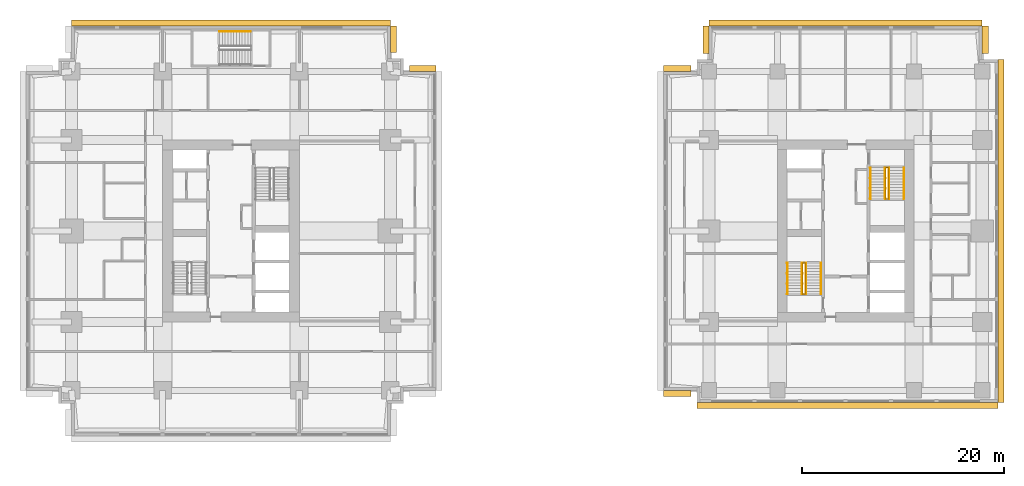
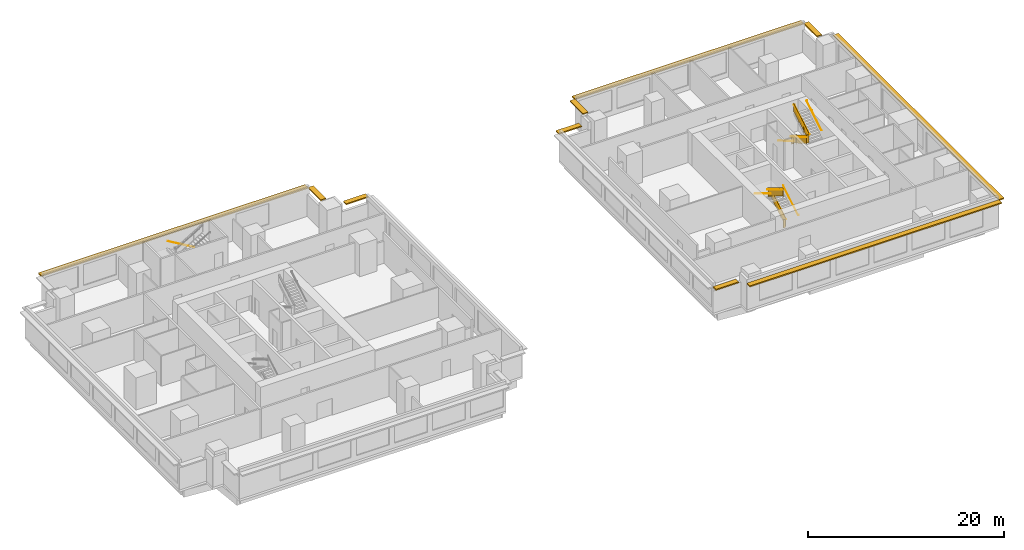
# One storey, part 10 of 10: 11 railings, 10 shading devices.
"""IFC4 building model written with IfcOpenShell, lengths in metres."""

from ifc_helpers import new_model, si_unit, direction, frame, origin, origin_2d, place, context, subcontext, project, spatial, polyline, rectangle, circle, outline, extrude, material, layer, layer_set, type_object, element, save


model = new_model("IFC4")

# Units and contexts
model_context = context("Model", 3, precision=1e-05, world=origin(), true_north=direction((0.0, 1.0)))
body_context = subcontext(model_context, "Body", "Model", "MODEL_VIEW")
ifc_project = project(units=[si_unit("LENGTHUNIT", "METRE"), si_unit("AREAUNIT", "SQUARE_METRE"), si_unit("VOLUMEUNIT", "CUBIC_METRE"), si_unit("PLANEANGLEUNIT", "RADIAN"), si_unit("MASSUNIT", "GRAM", prefix="KILO")], contexts=[model_context])

# Site, building, storey
site_placement = place(None, origin())
site = spatial("IfcSite", under=ifc_project, at=site_placement, CompositionType="ELEMENT")
building_placement = place(site_placement, origin())
building = spatial("IfcBuilding", under=site, at=building_placement, Name="Namib Vertical Campus", CompositionType="ELEMENT")
storey_placement = place(building_placement, frame((0.0, 0.0, 165.0)))
storey = spatial("IfcBuildingStorey", under=building, at=storey_placement, Name="L39", CompositionType="ELEMENT", Elevation=165.0)

# Railings
ifc_material_1 = material(Name="Steel handrail", Category="steel")
railing_type_1 = type_object("IfcRailingType", Name="Handrail 900", PredefinedType="HANDRAIL", material=ifc_material_1)
railing_1_placement = place(storey_placement, frame((78.550048828125, 14.0, 0.166748046875)))
element("IfcRailing", 1, at=railing_1_placement, inside=storey, type_object=railing_type_1, Name="Handrail HR1 B-S1 L39 1", PredefinedType="HANDRAIL", context=body_context, shape_type="SweptSolid", body=[
    extrude(circle(Radius=0.02392578125, at=origin_2d()), frame((0.0, 0.0, 0.8759765625), z_axis=(0.0, 0.859308565015, 0.511457515432), x_axis=(-1.0, 0.0, 0.0)), (0.0, 0.0, 1.0), 3.58447265625),
    extrude(circle(Radius=0.008056640625, at=origin_2d()), frame((0.0, 0.0, 0.8759765625), z_axis=(1.0, 0.0, 0.0), x_axis=(0.0, 0.0, 1.0)), (0.0, 0.0, 1.0), 0.050048828125),
    extrude(circle(Radius=0.008056640625, at=origin_2d()), frame((0.0, 1.026611328125, 1.48681640625), z_axis=(1.0, 0.0, 0.0), x_axis=(0.0, 0.0, 1.0)), (0.0, 0.0, 1.0), 0.050048828125),
    extrude(circle(Radius=0.008056640625, at=origin_2d()), frame((0.0, 2.053466796875, 2.09814453125), z_axis=(1.0, 0.0, 0.0), x_axis=(0.0, 0.0, 1.0)), (0.0, 0.0, 1.0), 0.050048828125),
    extrude(circle(Radius=0.008056640625, at=origin_2d()), frame((0.0, 3.080078125, 2.708984375), z_axis=(1.0, 0.0, 0.0), x_axis=(0.0, 0.0, 1.0)), (0.0, 0.0, 1.0), 0.050048828125),
])
railing_2_placement = place(storey_placement, frame((75.25, 17.080078125, 2.166748046875)))
element("IfcRailing", 2, at=railing_2_placement, inside=storey, type_object=railing_type_1, Name="Handrail HR1 B-S1 L39 2", PredefinedType="HANDRAIL", context=body_context, shape_type="SweptSolid", body=[
    extrude(circle(Radius=0.02392578125, at=origin_2d()), frame((0.0, 0.0, 0.8759765625), z_axis=(0.0, -0.859308565015, 0.511457515432), x_axis=(1.0, 0.0, 0.0)), (0.0, 0.0, 1.0), 3.58447265625),
    extrude(circle(Radius=0.008056640625, at=origin_2d()), frame((0.0, 0.0, 0.8759765625), z_axis=(-1.0, 0.0, 0.0), x_axis=(0.0, 0.0, 1.0)), (0.0, 0.0, 1.0), 0.050048828125),
    extrude(circle(Radius=0.008056640625, at=origin_2d()), frame((0.0, -1.026611328125, 1.48681640625), z_axis=(-1.0, 0.0, 0.0), x_axis=(0.0, 0.0, 1.0)), (0.0, 0.0, 1.0), 0.050048828125),
    extrude(circle(Radius=0.008056640625, at=origin_2d()), frame((0.0, -2.053466796875, 2.09814453125), z_axis=(-1.0, 0.0, 0.0), x_axis=(0.0, 0.0, 1.0)), (0.0, 0.0, 1.0), 0.050048828125),
    extrude(circle(Radius=0.008056640625, at=origin_2d()), frame((0.0, -3.080078125, 2.708984375), z_axis=(-1.0, 0.0, 0.0), x_axis=(0.0, 0.0, 1.0)), (0.0, 0.0, 1.0), 0.050048828125),
])
railing_3_placement = place(storey_placement, frame((77.10009765625, 14.0, 0.166748046875)))
element("IfcRailing", 3, at=railing_3_placement, inside=storey, type_object=railing_type_1, Name="Handrail HR1 B-S1 L39 1 at the well", PredefinedType="HANDRAIL", context=body_context, shape_type="SweptSolid", body=[
    extrude(circle(Radius=0.02392578125, at=origin_2d()), frame((0.0, 0.0, 0.8759765625), z_axis=(0.0, 0.859308565015, 0.511457515432), x_axis=(-1.0, 0.0, 0.0)), (0.0, 0.0, 1.0), 3.58447265625),
    extrude(circle(Radius=0.008056640625, at=origin_2d()), frame((0.0, 0.0, 0.8759765625), z_axis=(-1.0, 0.0, 0.0), x_axis=(0.0, 0.0, 1.0)), (0.0, 0.0, 1.0), 0.0400390625),
    extrude(circle(Radius=0.008056640625, at=origin_2d()), frame((0.0, 1.026611328125, 1.48681640625), z_axis=(-1.0, 0.0, 0.0), x_axis=(0.0, 0.0, 1.0)), (0.0, 0.0, 1.0), 0.0400390625),
    extrude(circle(Radius=0.008056640625, at=origin_2d()), frame((0.0, 2.053466796875, 2.09814453125), z_axis=(-1.0, 0.0, 0.0), x_axis=(0.0, 0.0, 1.0)), (0.0, 0.0, 1.0), 0.0400390625),
    extrude(circle(Radius=0.008056640625, at=origin_2d()), frame((0.0, 3.080078125, 2.708984375), z_axis=(-1.0, 0.0, 0.0), x_axis=(0.0, 0.0, 1.0)), (0.0, 0.0, 1.0), 0.0400390625),
])
railing_4_placement = place(storey_placement, frame((76.699951171875, 17.080078125, 2.166748046875)))
element("IfcRailing", 4, at=railing_4_placement, inside=storey, type_object=railing_type_1, Name="Handrail HR1 B-S1 L39 2 at the well", PredefinedType="HANDRAIL", context=body_context, shape_type="SweptSolid", body=[
    extrude(circle(Radius=0.02392578125, at=origin_2d()), frame((0.0, 0.0, 0.8759765625), z_axis=(0.0, -0.859308565015, 0.511457515432), x_axis=(1.0, 0.0, 0.0)), (0.0, 0.0, 1.0), 3.58447265625),
    extrude(circle(Radius=0.008056640625, at=origin_2d()), frame((0.0, 0.0, 0.8759765625), z_axis=(1.0, 0.0, 0.0), x_axis=(0.0, 0.0, 1.0)), (0.0, 0.0, 1.0), 0.0400390625),
    extrude(circle(Radius=0.008056640625, at=origin_2d()), frame((0.0, -1.026611328125, 1.48681640625), z_axis=(1.0, 0.0, 0.0), x_axis=(0.0, 0.0, 1.0)), (0.0, 0.0, 1.0), 0.0400390625),
    extrude(circle(Radius=0.008056640625, at=origin_2d()), frame((0.0, -2.053466796875, 2.09814453125), z_axis=(1.0, 0.0, 0.0), x_axis=(0.0, 0.0, 1.0)), (0.0, 0.0, 1.0), 0.0400390625),
    extrude(circle(Radius=0.008056640625, at=origin_2d()), frame((0.0, -3.080078125, 2.708984375), z_axis=(1.0, 0.0, 0.0), x_axis=(0.0, 0.0, 1.0)), (0.0, 0.0, 1.0), 0.0400390625),
])
railing_5_placement = place(storey_placement, frame((83.449951171875, 26.5, 0.166748046875)))
element("IfcRailing", 5, at=railing_5_placement, inside=storey, type_object=railing_type_1, Name="Handrail HR1 B-S2 L39 1", PredefinedType="HANDRAIL", context=body_context, shape_type="SweptSolid", body=[
    extrude(circle(Radius=0.02392578125, at=origin_2d()), frame((0.0, 0.0, 0.8759765625), z_axis=(0.0, -0.859308565015, 0.511457515432), x_axis=(1.0, 0.0, 0.0)), (0.0, 0.0, 1.0), 3.58447265625),
    extrude(circle(Radius=0.008056640625, at=origin_2d()), frame((0.0, 0.0, 0.8759765625), z_axis=(-1.0, 0.0, 0.0), x_axis=(0.0, 0.0, 1.0)), (0.0, 0.0, 1.0), 0.050048828125),
    extrude(circle(Radius=0.008056640625, at=origin_2d()), frame((0.0, -1.026611328125, 1.48681640625), z_axis=(-1.0, 0.0, 0.0), x_axis=(0.0, 0.0, 1.0)), (0.0, 0.0, 1.0), 0.050048828125),
    extrude(circle(Radius=0.008056640625, at=origin_2d()), frame((0.0, -2.053466796875, 2.09814453125), z_axis=(-1.0, 0.0, 0.0), x_axis=(0.0, 0.0, 1.0)), (0.0, 0.0, 1.0), 0.050048828125),
    extrude(circle(Radius=0.008056640625, at=origin_2d()), frame((0.0, -3.080078125, 2.708984375), z_axis=(-1.0, 0.0, 0.0), x_axis=(0.0, 0.0, 1.0)), (0.0, 0.0, 1.0), 0.050048828125),
])
railing_6_placement = place(storey_placement, frame((86.75, 23.419921875, 2.166748046875)))
element("IfcRailing", 6, at=railing_6_placement, inside=storey, type_object=railing_type_1, Name="Handrail HR1 B-S2 L39 2", PredefinedType="HANDRAIL", context=body_context, shape_type="SweptSolid", body=[
    extrude(circle(Radius=0.02392578125, at=origin_2d()), frame((0.0, 0.0, 0.8759765625), z_axis=(0.0, 0.859308565015, 0.511457515432), x_axis=(-1.0, 0.0, 0.0)), (0.0, 0.0, 1.0), 3.58447265625),
    extrude(circle(Radius=0.008056640625, at=origin_2d()), frame((0.0, 0.0, 0.8759765625), z_axis=(1.0, 0.0, 0.0), x_axis=(0.0, 0.0, 1.0)), (0.0, 0.0, 1.0), 0.050048828125),
    extrude(circle(Radius=0.008056640625, at=origin_2d()), frame((0.0, 1.026611328125, 1.48681640625), z_axis=(1.0, 0.0, 0.0), x_axis=(0.0, 0.0, 1.0)), (0.0, 0.0, 1.0), 0.050048828125),
    extrude(circle(Radius=0.008056640625, at=origin_2d()), frame((0.0, 2.053466796875, 2.09814453125), z_axis=(1.0, 0.0, 0.0), x_axis=(0.0, 0.0, 1.0)), (0.0, 0.0, 1.0), 0.050048828125),
    extrude(circle(Radius=0.008056640625, at=origin_2d()), frame((0.0, 3.080078125, 2.708984375), z_axis=(1.0, 0.0, 0.0), x_axis=(0.0, 0.0, 1.0)), (0.0, 0.0, 1.0), 0.050048828125),
])
railing_7_placement = place(storey_placement, frame((84.89990234375, 26.5, 0.166748046875)))
element("IfcRailing", 7, at=railing_7_placement, inside=storey, type_object=railing_type_1, Name="Handrail HR1 B-S2 L39 1 at the well", PredefinedType="HANDRAIL", context=body_context, shape_type="SweptSolid", body=[
    extrude(circle(Radius=0.02392578125, at=origin_2d()), frame((0.0, 0.0, 0.8759765625), z_axis=(0.0, -0.859308565015, 0.511457515432), x_axis=(1.0, 0.0, 0.0)), (0.0, 0.0, 1.0), 3.58447265625),
    extrude(circle(Radius=0.008056640625, at=origin_2d()), frame((0.0, 0.0, 0.8759765625), z_axis=(1.0, 0.0, 0.0), x_axis=(0.0, 0.0, 1.0)), (0.0, 0.0, 1.0), 0.0400390625),
    extrude(circle(Radius=0.008056640625, at=origin_2d()), frame((0.0, -1.026611328125, 1.48681640625), z_axis=(1.0, 0.0, 0.0), x_axis=(0.0, 0.0, 1.0)), (0.0, 0.0, 1.0), 0.0400390625),
    extrude(circle(Radius=0.008056640625, at=origin_2d()), frame((0.0, -2.053466796875, 2.09814453125), z_axis=(1.0, 0.0, 0.0), x_axis=(0.0, 0.0, 1.0)), (0.0, 0.0, 1.0), 0.0400390625),
    extrude(circle(Radius=0.008056640625, at=origin_2d()), frame((0.0, -3.080078125, 2.708984375), z_axis=(1.0, 0.0, 0.0), x_axis=(0.0, 0.0, 1.0)), (0.0, 0.0, 1.0), 0.0400390625),
])
railing_8_placement = place(storey_placement, frame((85.300048828125, 23.419921875, 2.166748046875)))
element("IfcRailing", 8, at=railing_8_placement, inside=storey, type_object=railing_type_1, Name="Handrail HR1 B-S2 L39 2 at the well", PredefinedType="HANDRAIL", context=body_context, shape_type="SweptSolid", body=[
    extrude(circle(Radius=0.02392578125, at=origin_2d()), frame((0.0, 0.0, 0.8759765625), z_axis=(0.0, 0.859308565015, 0.511457515432), x_axis=(-1.0, 0.0, 0.0)), (0.0, 0.0, 1.0), 3.58447265625),
    extrude(circle(Radius=0.008056640625, at=origin_2d()), frame((0.0, 0.0, 0.8759765625), z_axis=(-1.0, 0.0, 0.0), x_axis=(0.0, 0.0, 1.0)), (0.0, 0.0, 1.0), 0.0400390625),
    extrude(circle(Radius=0.008056640625, at=origin_2d()), frame((0.0, 1.026611328125, 1.48681640625), z_axis=(-1.0, 0.0, 0.0), x_axis=(0.0, 0.0, 1.0)), (0.0, 0.0, 1.0), 0.0400390625),
    extrude(circle(Radius=0.008056640625, at=origin_2d()), frame((0.0, 2.053466796875, 2.09814453125), z_axis=(-1.0, 0.0, 0.0), x_axis=(0.0, 0.0, 1.0)), (0.0, 0.0, 1.0), 0.0400390625),
    extrude(circle(Radius=0.008056640625, at=origin_2d()), frame((0.0, 3.080078125, 2.708984375), z_axis=(-1.0, 0.0, 0.0), x_axis=(0.0, 0.0, 1.0)), (0.0, 0.0, 1.0), 0.0400390625),
])
railing_9_placement = place(storey_placement, frame((22.199951171875, 39.949951171875, 0.166748046875)))
element("IfcRailing", 9, at=railing_9_placement, inside=storey, type_object=railing_type_1, Name="Handrail HR1 A-S3 L39 1", PredefinedType="HANDRAIL", context=body_context, shape_type="SweptSolid", body=[
    extrude(circle(Radius=0.02392578125, at=origin_2d()), frame((0.0, 0.0, 0.8759765625), z_axis=(-0.859290745958, 0.0, 0.51148745235), x_axis=(0.0, -1.0, 0.0)), (0.0, 0.0, 1.0), 3.584228515625),
    extrude(circle(Radius=0.008056640625, at=origin_2d()), frame((0.0, 0.0, 0.8759765625), z_axis=(0.0, 1.0, 0.0), x_axis=(0.0, 0.0, 1.0)), (0.0, 0.0, 1.0), 0.050048828125),
    extrude(circle(Radius=0.008056640625, at=origin_2d()), frame((-1.026611328125, 0.0, 1.48681640625), z_axis=(0.0, 1.0, 0.0), x_axis=(0.0, 0.0, 1.0)), (0.0, 0.0, 1.0), 0.050048828125),
    extrude(circle(Radius=0.008056640625, at=origin_2d()), frame((-2.05322265625, 0.0, 2.09814453125), z_axis=(0.0, 1.0, 0.0), x_axis=(0.0, 0.0, 1.0)), (0.0, 0.0, 1.0), 0.050048828125),
    extrude(circle(Radius=0.008056640625, at=origin_2d()), frame((-3.079833984375, 0.0, 2.708984375), z_axis=(0.0, 1.0, 0.0), x_axis=(0.0, 0.0, 1.0)), (0.0, 0.0, 1.0), 0.050048828125),
])
ifc_material_2 = material(Name="Steel balustrade", Category="steel")
railing_type_2 = type_object("IfcRailingType", Name="Stair guard 1100", PredefinedType="GUARDRAIL", material=ifc_material_2)
railing_10_placement = place(storey_placement, frame((76.75, 14.0, 0.0)))
element("IfcRailing", 10, at=railing_10_placement, inside=storey, type_object=railing_type_2, Name="Stair guard GR1 B-S1 L39", PredefinedType="GUARDRAIL", context=body_context, shape_type="SweptSolid", body=[
    extrude(circle(Radius=0.02392578125, at=origin_2d()), frame((0.0, 0.0, 1.076171875), z_axis=(1.0, 0.0, 0.0), x_axis=(0.0, 1.0, 0.0)), (0.0, 0.0, 1.0), 0.300048828125),
    extrude(outline(polyline([(0.02099609375, 0.050048828125), (0.279052734375, 0.050048828125), (0.279052734375, 1.052001953125), (0.02099609375, 1.052001953125), (0.02099609375, 0.050048828125)])), frame((0.0, 0.010009765625, 0.0), z_axis=(0.0, -1.0, 0.0), x_axis=(1.0, 0.0, 0.0)), (0.0, 0.0, 1.0), 0.02001953125),
    extrude(circle(Radius=0.02392578125, at=origin_2d()), frame((0.300048828125, 0.0, 1.076171875), z_axis=(0.0, 0.0, 1.0), x_axis=(1.0, 0.0, 0.0)), (0.0, 0.0, 1.0), 0.166748046875),
    extrude(circle(Radius=0.02392578125, at=origin_2d()), frame((0.300048828125, 0.0, 1.24267578125), z_axis=(0.0, 0.859308565015, 0.511457515432), x_axis=(-1.0, 0.0, 0.0)), (0.0, 0.0, 1.0), 3.58447265625),
    extrude(outline(polyline([(0.02099609375, 0.0625), (3.05908203125, 1.870849609375), (3.05908203125, 2.872802734375), (0.02099609375, 1.064453125), (0.02099609375, 0.0625)])), frame((0.2900390625, 0.0, 0.166748046875), z_axis=(1.0, 0.0, 0.0), x_axis=(0.0, 1.0, 0.0)), (0.0, 0.0, 1.0), 0.02001953125),
    extrude(circle(Radius=0.02392578125, at=origin_2d()), frame((0.300048828125, 3.080078125, 3.076171875), z_axis=(-1.0, 0.0, 0.0), x_axis=(0.0, -1.0, 0.0)), (0.0, 0.0, 1.0), 0.300048828125),
    extrude(outline(polyline([(0.02099609375, 0.050048828125), (0.279052734375, 0.050048828125), (0.279052734375, 1.052001953125), (0.02099609375, 1.052001953125), (0.02099609375, 0.050048828125)])), frame((0.300048828125, 3.070068359375, 2.0), z_axis=(0.0, 1.0, 0.0), x_axis=(-1.0, 0.0, 0.0)), (0.0, 0.0, 1.0), 0.02001953125),
    extrude(circle(Radius=0.02392578125, at=origin_2d()), frame((0.0, 3.080078125, 3.076171875), z_axis=(0.0, 0.0, 1.0), x_axis=(1.0, 0.0, 0.0)), (0.0, 0.0, 1.0), 0.166748046875),
    extrude(circle(Radius=0.02392578125, at=origin_2d()), frame((0.0, 3.080078125, 3.24267578125), z_axis=(0.0, -0.859308565015, 0.511457515432), x_axis=(1.0, 0.0, 0.0)), (0.0, 0.0, 1.0), 3.58447265625),
    extrude(outline(polyline([(0.02099609375, 0.0625), (3.05908203125, 1.870849609375), (3.05908203125, 2.872802734375), (0.02099609375, 1.064453125), (0.02099609375, 0.0625)])), frame((0.010009765625, 3.080078125, 2.166748046875), z_axis=(-1.0, 0.0, 0.0), x_axis=(0.0, -1.0, 0.0)), (0.0, 0.0, 1.0), 0.02001953125),
    extrude(circle(Radius=0.02392578125, at=origin_2d()), frame((0.0, 0.0, 5.076171875), z_axis=(0.0, -1.0, 0.0), x_axis=(1.0, 0.0, 0.0)), (0.0, 0.0, 1.0), 0.050048828125),
    extrude(outline(polyline([(0.02099609375, 0.050048828125), (0.029052734375, 0.050048828125), (0.029052734375, 1.052001953125), (0.02099609375, 1.052001953125), (0.02099609375, 0.050048828125)])), frame((0.010009765625, 0.0, 4.0), z_axis=(-1.0, 0.0, 0.0), x_axis=(0.0, -1.0, 0.0)), (0.0, 0.0, 1.0), 0.02001953125),
    extrude(circle(Radius=0.02099609375, at=origin_2d()), origin(), (0.0, 0.0, 1.0), 1.052001953125),
    extrude(circle(Radius=0.02099609375, at=origin_2d()), frame((0.300048828125, 0.0, 0.166748046875)), (0.0, 0.0, 1.0), 1.052001953125),
    extrude(circle(Radius=0.02099609375, at=origin_2d()), frame((0.300048828125, 1.026611328125, 0.666748046875)), (0.0, 0.0, 1.0), 1.1630859375),
    extrude(circle(Radius=0.02099609375, at=origin_2d()), frame((0.300048828125, 2.053466796875, 1.33349609375)), (0.0, 0.0, 1.0), 1.107421875),
    extrude(circle(Radius=0.02099609375, at=origin_2d()), frame((0.300048828125, 3.080078125, 2.0)), (0.0, 0.0, 1.0), 1.052001953125),
    extrude(circle(Radius=0.02099609375, at=origin_2d()), frame((0.0, 3.080078125, 2.166748046875)), (0.0, 0.0, 1.0), 1.052001953125),
    extrude(circle(Radius=0.02099609375, at=origin_2d()), frame((0.0, 2.053466796875, 2.666748046875)), (0.0, 0.0, 1.0), 1.1630859375),
    extrude(circle(Radius=0.02099609375, at=origin_2d()), frame((0.0, 1.026611328125, 3.33349609375)), (0.0, 0.0, 1.0), 1.107421875),
    extrude(circle(Radius=0.02099609375, at=origin_2d()), frame((0.0, 0.0, 4.0)), (0.0, 0.0, 1.0), 1.052001953125),
    extrude(circle(Radius=0.02099609375, at=origin_2d()), frame((0.0, -0.050048828125, 4.0)), (0.0, 0.0, 1.0), 1.052001953125),
])
railing_11_placement = place(storey_placement, frame((85.25, 26.5, 0.0)))
element("IfcRailing", 11, at=railing_11_placement, inside=storey, type_object=railing_type_2, Name="Stair guard GR1 B-S2 L39", PredefinedType="GUARDRAIL", context=body_context, shape_type="SweptSolid", body=[
    extrude(circle(Radius=0.02392578125, at=origin_2d()), frame((0.0, 0.0, 1.076171875), z_axis=(-1.0, 0.0, 0.0), x_axis=(0.0, -1.0, 0.0)), (0.0, 0.0, 1.0), 0.300048828125),
    extrude(outline(polyline([(0.02099609375, 0.050048828125), (0.279052734375, 0.050048828125), (0.279052734375, 1.052001953125), (0.02099609375, 1.052001953125), (0.02099609375, 0.050048828125)])), frame((0.0, -0.010009765625, 0.0), z_axis=(0.0, 1.0, 0.0), x_axis=(-1.0, 0.0, 0.0)), (0.0, 0.0, 1.0), 0.02001953125),
    extrude(circle(Radius=0.02392578125, at=origin_2d()), frame((-0.300048828125, 0.0, 1.076171875), z_axis=(0.0, 0.0, 1.0), x_axis=(1.0, 0.0, 0.0)), (0.0, 0.0, 1.0), 0.166748046875),
    extrude(circle(Radius=0.02392578125, at=origin_2d()), frame((-0.300048828125, 0.0, 1.24267578125), z_axis=(0.0, -0.859308565015, 0.511457515432), x_axis=(1.0, 0.0, 0.0)), (0.0, 0.0, 1.0), 3.58447265625),
    extrude(outline(polyline([(0.02099609375, 0.0625), (3.05908203125, 1.870849609375), (3.05908203125, 2.872802734375), (0.02099609375, 1.064453125), (0.02099609375, 0.0625)])), frame((-0.2900390625, 0.0, 0.166748046875), z_axis=(-1.0, 0.0, 0.0), x_axis=(0.0, -1.0, 0.0)), (0.0, 0.0, 1.0), 0.02001953125),
    extrude(circle(Radius=0.02392578125, at=origin_2d()), frame((-0.300048828125, -3.080078125, 3.076171875), z_axis=(1.0, 0.0, 0.0), x_axis=(0.0, 1.0, 0.0)), (0.0, 0.0, 1.0), 0.300048828125),
    extrude(outline(polyline([(0.02099609375, 0.050048828125), (0.279052734375, 0.050048828125), (0.279052734375, 1.052001953125), (0.02099609375, 1.052001953125), (0.02099609375, 0.050048828125)])), frame((-0.300048828125, -3.070068359375, 2.0), z_axis=(0.0, -1.0, 0.0), x_axis=(1.0, 0.0, 0.0)), (0.0, 0.0, 1.0), 0.02001953125),
    extrude(circle(Radius=0.02392578125, at=origin_2d()), frame((0.0, -3.080078125, 3.076171875), z_axis=(0.0, 0.0, 1.0), x_axis=(1.0, 0.0, 0.0)), (0.0, 0.0, 1.0), 0.166748046875),
    extrude(circle(Radius=0.02392578125, at=origin_2d()), frame((0.0, -3.080078125, 3.24267578125), z_axis=(0.0, 0.859308565015, 0.511457515432), x_axis=(-1.0, 0.0, 0.0)), (0.0, 0.0, 1.0), 3.58447265625),
    extrude(outline(polyline([(0.02099609375, 0.0625), (3.05908203125, 1.870849609375), (3.05908203125, 2.872802734375), (0.02099609375, 1.064453125), (0.02099609375, 0.0625)])), frame((-0.010009765625, -3.080078125, 2.166748046875), z_axis=(1.0, 0.0, 0.0), x_axis=(0.0, 1.0, 0.0)), (0.0, 0.0, 1.0), 0.02001953125),
    extrude(circle(Radius=0.02392578125, at=origin_2d()), frame((0.0, 0.0, 5.076171875), z_axis=(0.0, 1.0, 0.0), x_axis=(-1.0, 0.0, 0.0)), (0.0, 0.0, 1.0), 0.050048828125),
    extrude(outline(polyline([(0.02099609375, 0.050048828125), (0.029052734375, 0.050048828125), (0.029052734375, 1.052001953125), (0.02099609375, 1.052001953125), (0.02099609375, 0.050048828125)])), frame((-0.010009765625, 0.0, 4.0), z_axis=(1.0, 0.0, 0.0), x_axis=(0.0, 1.0, 0.0)), (0.0, 0.0, 1.0), 0.02001953125),
    extrude(circle(Radius=0.02099609375, at=origin_2d()), origin(), (0.0, 0.0, 1.0), 1.052001953125),
    extrude(circle(Radius=0.02099609375, at=origin_2d()), frame((-0.300048828125, 0.0, 0.166748046875)), (0.0, 0.0, 1.0), 1.052001953125),
    extrude(circle(Radius=0.02099609375, at=origin_2d()), frame((-0.300048828125, -1.026611328125, 0.666748046875)), (0.0, 0.0, 1.0), 1.1630859375),
    extrude(circle(Radius=0.02099609375, at=origin_2d()), frame((-0.300048828125, -2.053466796875, 1.33349609375)), (0.0, 0.0, 1.0), 1.107421875),
    extrude(circle(Radius=0.02099609375, at=origin_2d()), frame((-0.300048828125, -3.080078125, 2.0)), (0.0, 0.0, 1.0), 1.052001953125),
    extrude(circle(Radius=0.02099609375, at=origin_2d()), frame((0.0, -3.080078125, 2.166748046875)), (0.0, 0.0, 1.0), 1.052001953125),
    extrude(circle(Radius=0.02099609375, at=origin_2d()), frame((0.0, -2.053466796875, 2.666748046875)), (0.0, 0.0, 1.0), 1.1630859375),
    extrude(circle(Radius=0.02099609375, at=origin_2d()), frame((0.0, -1.026611328125, 3.33349609375)), (0.0, 0.0, 1.0), 1.107421875),
    extrude(circle(Radius=0.02099609375, at=origin_2d()), frame((0.0, 0.0, 4.0)), (0.0, 0.0, 1.0), 1.052001953125),
    extrude(circle(Radius=0.02099609375, at=origin_2d()), frame((0.0, 0.050048828125, 4.0)), (0.0, 0.0, 1.0), 1.052001953125),
])

# Shading devices
ifc_material_3 = material(Name="Concrete C40/50 precast", Category="concrete")
ifc_layer = layer(ifc_material_3, 0.14990234375)
ifc_layer_set = layer_set([ifc_layer], Name="Concrete C40/50 precast")
shading_device_type = type_object("IfcShadingDeviceType", Name="Sunshade hood 600", PredefinedType="SHUTTER", material=ifc_layer_set)
for number, where, z_axis, x_axis, name in (
    (12, (39.199951171875, 36.300048828125, 3.199951171875), (0.0, 0.0, 1.0), (-1.0, 0.0, 0.0), "Sunshade SH3 L39 7"),
    (13, (36.300048828125, 39.199951171875, 3.199951171875), (0.0, 0.0, 1.0), (0.0, 1.0, 0.0), "Sunshade SH3 L39 10"),
):
    element("IfcShadingDevice", number, at=place(storey_placement, frame(where, z_axis=z_axis, x_axis=x_axis)), inside=storey, type_object=shading_device_type, Name=name, PredefinedType="SHUTTER", context=body_context, shape_type="SweptSolid", body=[
        extrude(rectangle(XDim=2.60009765625, YDim=0.60009765625, at=origin_2d()), origin(), (0.0, 0.0, 1.0), 0.14990234375),
    ])
shading_device_1_placement = place(storey_placement, frame((20.25, 40.800048828125, 3.199951171875), z_axis=(0.0, 0.0, 1.0), x_axis=(-1.0, 0.0, 0.0)))
element("IfcShadingDevice", 14, at=shading_device_1_placement, inside=storey, type_object=shading_device_type, Name="Sunshade SH3 L39 11", PredefinedType="SHUTTER", context=body_context, shape_type="SweptSolid", body=[
    extrude(rectangle(XDim=31.5, YDim=0.60009765625, at=origin_2d()), origin(), (0.0, 0.0, 1.0), 0.14990234375),
])
shading_device_2_placement = place(storey_placement, frame((64.35009765625, 4.199951171875, 3.199951171875), z_axis=(0.0, 0.0, 1.0), x_axis=(1.0, 0.0, 0.0)))
element("IfcShadingDevice", 15, at=shading_device_2_placement, inside=storey, type_object=shading_device_type, Name="Sunshade SH3 L39 1", PredefinedType="SHUTTER", context=body_context, shape_type="SweptSolid", body=[
    extrude(rectangle(XDim=2.699951171875, YDim=0.60009765625, at=origin_2d()), origin(), (0.0, 0.0, 1.0), 0.14990234375),
])
shading_device_3_placement = place(storey_placement, frame((81.175048828125, 3.0, 3.199951171875), z_axis=(0.0, 0.0, 1.0), x_axis=(1.0, 0.0, 0.0)))
element("IfcShadingDevice", 16, at=shading_device_3_placement, inside=storey, type_object=shading_device_type, Name="Sunshade SH3 L39 3", PredefinedType="SHUTTER", context=body_context, shape_type="SweptSolid", body=[
    extrude(rectangle(XDim=29.75, YDim=0.60009765625, at=origin_2d()), origin(), (0.0, 0.0, 1.0), 0.14990234375),
])
shading_device_4_placement = place(storey_placement, frame((96.35009765625, 20.25, 3.199951171875), z_axis=(0.0, 0.0, 1.0), x_axis=(0.0, 1.0, 0.0)))
element("IfcShadingDevice", 17, at=shading_device_4_placement, inside=storey, type_object=shading_device_type, Name="Sunshade SH3 L39 4", PredefinedType="SHUTTER", context=body_context, shape_type="SweptSolid", body=[
    extrude(rectangle(XDim=33.89990234375, YDim=0.60009765625, at=origin_2d()), origin(), (0.0, 0.0, 1.0), 0.14990234375),
])
shading_device_5_placement = place(storey_placement, frame((94.800048828125, 39.14990234375, 3.199951171875), z_axis=(0.0, 0.0, 1.0), x_axis=(0.0, 1.0, 0.0)))
element("IfcShadingDevice", 18, at=shading_device_5_placement, inside=storey, type_object=shading_device_type, Name="Sunshade SH3 L39 6", PredefinedType="SHUTTER", context=body_context, shape_type="SweptSolid", body=[
    extrude(rectangle(XDim=2.699951171875, YDim=0.60009765625, at=origin_2d()), origin(), (0.0, 0.0, 1.0), 0.14990234375),
])
shading_device_6_placement = place(storey_placement, frame((81.0, 40.800048828125, 3.199951171875), z_axis=(0.0, 0.0, 1.0), x_axis=(-1.0, 0.0, 0.0)))
element("IfcShadingDevice", 19, at=shading_device_6_placement, inside=storey, type_object=shading_device_type, Name="Sunshade SH3 L39 7", PredefinedType="SHUTTER", context=body_context, shape_type="SweptSolid", body=[
    extrude(rectangle(XDim=27.0, YDim=0.60009765625, at=origin_2d()), origin(), (0.0, 0.0, 1.0), 0.14990234375),
])
for number, where, z_axis, x_axis, name in (
    (20, (67.199951171875, 39.14990234375, 3.199951171875), (0.0, 0.0, 1.0), (0.0, -1.0, 0.0), "Sunshade SH3 L39 8"),
    (21, (64.35009765625, 36.300048828125, 3.199951171875), (0.0, 0.0, 1.0), (-1.0, 0.0, 0.0), "Sunshade SH3 L39 11"),
):
    element("IfcShadingDevice", number, at=place(storey_placement, frame(where, z_axis=z_axis, x_axis=x_axis)), inside=storey, type_object=shading_device_type, Name=name, PredefinedType="SHUTTER", context=body_context, shape_type="SweptSolid", body=[
        extrude(rectangle(XDim=2.699951171875, YDim=0.60009765625, at=origin_2d()), origin(), (0.0, 0.0, 1.0), 0.14990234375),
    ])

save(model, "model.ifc")
